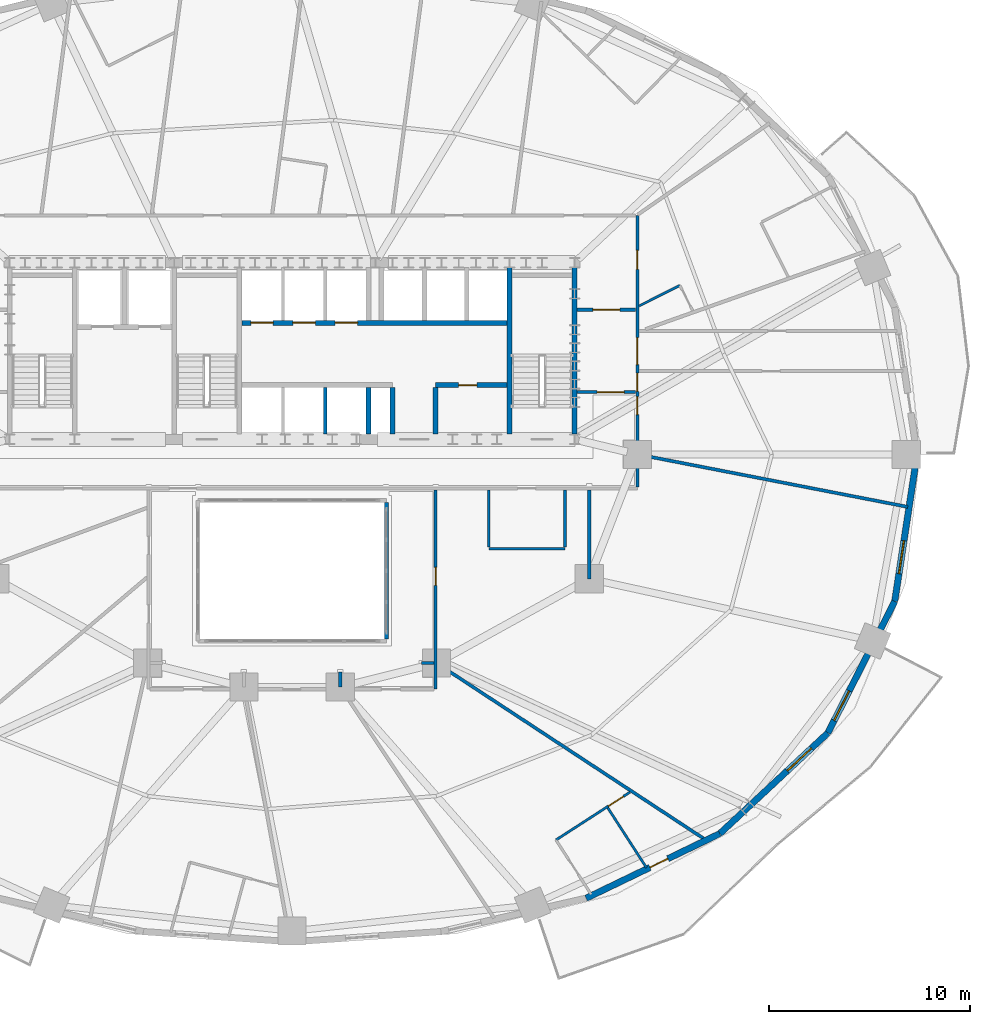
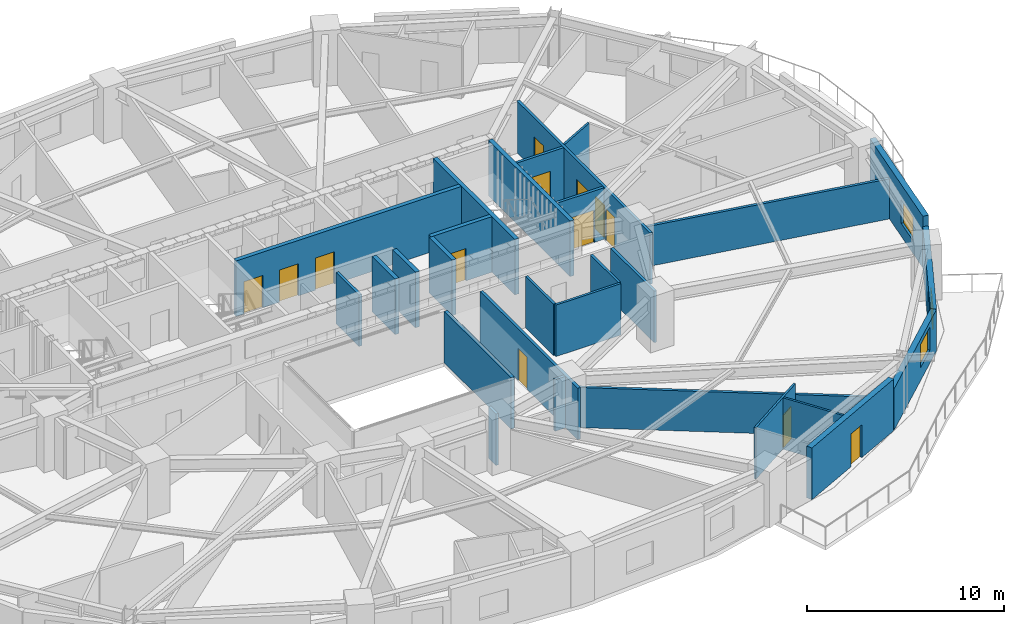
# One storey, part 11 of 17: 28 walls, 13 doors, 3 windows, 16 openings.
"""IFC4 building model written with IfcOpenShell, lengths in metres."""

from ifc_helpers import new_model, si_unit, direction, frame, frame_2d, origin, place, context, subcontext, project, spatial, rectangle, extrude, material, layer, layer_set, type_object, element, fill, save


model = new_model("IFC4")

# Units and contexts
model_context = context("Model", 3, precision=1e-05, world=origin(), true_north=direction((0.0, 1.0)))
body_context = subcontext(model_context, "Body", "Model", "MODEL_VIEW")
ifc_project = project(units=[si_unit("LENGTHUNIT", "METRE"), si_unit("AREAUNIT", "SQUARE_METRE"), si_unit("VOLUMEUNIT", "CUBIC_METRE"), si_unit("PLANEANGLEUNIT", "RADIAN"), si_unit("MASSUNIT", "GRAM", prefix="KILO")], contexts=[model_context])

# Site, building, storey
site_placement = place(None, origin())
site = spatial("IfcSite", under=ifc_project, at=site_placement, CompositionType="ELEMENT")
building_placement = place(site_placement, origin())
building = spatial("IfcBuilding", under=site, at=building_placement, Name="Haldorwick Loom Tower", CompositionType="ELEMENT")
storey_placement = place(building_placement, frame((0.0, 0.0, 55.050048828125)))
storey = spatial("IfcBuildingStorey", under=building, at=storey_placement, Name="L14", CompositionType="ELEMENT", Elevation=55.050048828125)

# Wall, opening, door
ifc_material_1 = material(Name="Pressed Clay Face Brick and Insulated Masonry Backup Assembly", Category="masonry")
ifc_layer_1 = layer(ifc_material_1, 0.320068359375, Name="Pressed Clay Face Brick and Insulated Masonry Backup Assembly", Category="masonry")
ifc_layer_set_1 = layer_set([ifc_layer_1], Name="Pressed Clay Face Brick and Insulated Masonry Backup Assembly")
wall_type_1 = type_object("IfcWallType", Name="ARC-WL-EXT320", PredefinedType="STANDARD", material=ifc_layer_set_1)
wall_1_placement = place(storey_placement, frame((50.644775390625, 3.88427734375, 0.0), z_axis=(0.0, 0.0, 1.0), x_axis=(0.900295710431, 0.435278800057, 0.0)))
wall_1 = element("IfcWall", 1, at=wall_1_placement, inside=storey, type_object=wall_type_1, Name="L14 Brick Pier and Spandrel Wall 21", PredefinedType="STANDARD", context=body_context, shape_type="SweptSolid", body=[
    extrude(rectangle(XDim=7.39697265625, YDim=0.320068359375, at=frame_2d((3.698486328125, 0.0))), origin(), (0.0, 0.0, 1.0), 3.2099609375),
])
opening_1_placement = place(wall_1_placement, frame((3.529541015625, 0.0, 0.0)))
opening_1 = element("IfcOpeningElement", 2, at=opening_1_placement, cuts=wall_1, Name="Opening D-BL10", PredefinedType="OPENING", context=body_context, shape_type="SweptSolid", body=[
    extrude(rectangle(XDim=1.0, YDim=2.0400390625, at=frame_2d((0.5, 1.02001953125))), frame((0.0, 0.169921875, 0.0), z_axis=(0.0, -1.0, 0.0), x_axis=(1.0, 0.0, 0.0)), (0.0, 0.0, 1.0), 0.340087890625),
])
ifc_material_2 = material(Name="Thermally Broken Anodized Aluminium Curtain Wall Framing", Category="aluminium")
door_type_1 = type_object("IfcDoorType", Name="ARC-DR-BAL100", OperationType="NOTDEFINED", PredefinedType="DOOR", material=ifc_material_2)
door_1_placement = place(opening_1_placement, origin())
door_1 = element("IfcDoor", 3, at=door_1_placement, inside=storey, type_object=door_type_1, Name="L14 Outdoor Terrace Door SLB-L14-BAL_SE", OperationType="SINGLE_SWING_LEFT", OverallHeight=2.0400390625, OverallWidth=1.0, PredefinedType="DOOR", context=body_context, shape_type="SweptSolid", body=[
    extrude(rectangle(XDim=1.0, YDim=2.0400390625, at=frame_2d((0.5, 1.02001953125))), frame((0.0, 0.02490234375, 0.0), z_axis=(0.0, -1.0, 0.0), x_axis=(1.0, 0.0, 0.0)), (0.0, 0.0, 1.0), 0.050048828125),
])
fill(opening_1, door_1)

# Wall, opening, window
wall_2_placement = place(storey_placement, frame((57.30419921875, 7.10400390625, 0.0), z_axis=(0.0, 0.0, 1.0), x_axis=(0.73176101237, 0.681561311091, 0.0)))
wall_2 = element("IfcWall", 4, at=wall_2_placement, inside=storey, type_object=wall_type_1, Name="L14 Brick Pier and Spandrel Wall 22", PredefinedType="STANDARD", context=body_context, shape_type="SweptSolid", body=[
    extrude(rectangle(XDim=7.3583984375, YDim=0.320068359375, at=frame_2d((3.67919921875, 0.0))), origin(), (0.0, 0.0, 1.0), 2.56884765625),
])
opening_2_placement = place(wall_2_placement, frame((4.590087890625, 0.0, 0.800048828125)))
opening_2 = element("IfcOpeningElement", 5, at=opening_2_placement, cuts=wall_2, Name="Opening W-01B", PredefinedType="OPENING", context=body_context, shape_type="SweptSolid", body=[
    extrude(rectangle(XDim=1.64990234375, YDim=1.449951171875, at=frame_2d((0.824951171875, 0.72509765625))), frame((0.0, 0.169921875, 0.0), z_axis=(0.0, -1.0, 0.0), x_axis=(1.0, 0.0, 0.0)), (0.0, 0.0, 1.0), 0.340087890625),
])
ifc_material_3 = material(Name="Triple-Glazed Low-E Argon Insulated Glazing Unit", Category="glass")
window_type = type_object("IfcWindowType", Name="ARC-WIN-W165", PartitioningType="SINGLE_PANEL", PredefinedType="WINDOW", material=ifc_material_3)
window_1_placement = place(opening_2_placement, origin())
window_1 = element("IfcWindow", 6, at=window_1_placement, inside=storey, type_object=window_type, Name="L14 Deep-Set Zone 7A Window 22", OverallHeight=1.449951171875, OverallWidth=1.64990234375, PartitioningType="SINGLE_PANEL", PredefinedType="WINDOW", context=body_context, shape_type="SweptSolid", body=[
    extrude(rectangle(XDim=1.64990234375, YDim=1.449951171875, at=frame_2d((0.824951171875, 0.72509765625))), frame((0.0, 0.030029296875, 0.0), z_axis=(0.0, -1.0, 0.0), x_axis=(1.0, 0.0, 0.0)), (0.0, 0.0, 1.0), 0.06005859375),
])
fill(opening_2, window_1)

wall_3_placement = place(storey_placement, frame((62.688720703125, 12.119140625, 0.0), z_axis=(0.0, 0.0, 1.0), x_axis=(0.452950855928, 0.891535485617, 0.0)))
wall_3 = element("IfcWall", 7, at=wall_3_placement, inside=storey, type_object=wall_type_1, Name="L14 Brick Pier and Spandrel Wall 23", PredefinedType="STANDARD", context=body_context, shape_type="SweptSolid", body=[
    extrude(rectangle(XDim=7.3583984375, YDim=0.320068359375, at=frame_2d((3.67919921875, 0.0))), origin(), (0.0, 0.0, 1.0), 2.56884765625),
])
opening_3_placement = place(wall_3_placement, frame((0.69921875, 0.0, 0.800048828125)))
opening_3 = element("IfcOpeningElement", 8, at=opening_3_placement, cuts=wall_3, Name="Opening W-01B", PredefinedType="OPENING", context=body_context, shape_type="SweptSolid", body=[
    extrude(rectangle(XDim=1.64990234375, YDim=1.449951171875, at=frame_2d((0.824951171875, 0.72509765625))), frame((0.0, 0.169921875, 0.0), z_axis=(0.0, -1.0, 0.0), x_axis=(1.0, 0.0, 0.0)), (0.0, 0.0, 1.0), 0.340087890625),
])
window_2_placement = place(opening_3_placement, origin())
window_2 = element("IfcWindow", 9, at=window_2_placement, inside=storey, type_object=window_type, Name="L14 Deep-Set Zone 7A Window 23", OverallHeight=1.449951171875, OverallWidth=1.64990234375, PartitioningType="SINGLE_PANEL", PredefinedType="WINDOW", context=body_context, shape_type="SweptSolid", body=[
    extrude(rectangle(XDim=1.64990234375, YDim=1.449951171875, at=frame_2d((0.824951171875, 0.72509765625))), frame((0.0, 0.030029296875, 0.0), z_axis=(0.0, -1.0, 0.0), x_axis=(1.0, 0.0, 0.0)), (0.0, 0.0, 1.0), 0.06005859375),
])
fill(opening_3, window_2)

wall_4_placement = place(storey_placement, frame((66.021728515625, 18.679443359375, 0.0), z_axis=(0.0, 0.0, 1.0), x_axis=(0.150476322528, 0.988613613278, 0.0)))
wall_4 = element("IfcWall", 10, at=wall_4_placement, inside=storey, type_object=wall_type_1, Name="L14 Brick Pier and Spandrel Wall 24", PredefinedType="STANDARD", context=body_context, shape_type="SweptSolid", body=[
    extrude(rectangle(XDim=7.40478515625, YDim=0.320068359375, at=frame_2d((3.702392578125, 0.0))), origin(), (0.0, 0.0, 1.0), 3.2099609375),
])
opening_4_placement = place(wall_4_placement, frame((1.396484375, 0.0, 0.800048828125)))
opening_4 = element("IfcOpeningElement", 11, at=opening_4_placement, cuts=wall_4, Name="Opening W-01B", PredefinedType="OPENING", context=body_context, shape_type="SweptSolid", body=[
    extrude(rectangle(XDim=1.64990234375, YDim=1.449951171875, at=frame_2d((0.824951171875, 0.72509765625))), frame((0.0, 0.169921875, 0.0), z_axis=(0.0, -1.0, 0.0), x_axis=(1.0, 0.0, 0.0)), (0.0, 0.0, 1.0), 0.340087890625),
])
window_3_placement = place(opening_4_placement, origin())
window_3 = element("IfcWindow", 12, at=window_3_placement, inside=storey, type_object=window_type, Name="L14 Deep-Set Zone 7A Window 24", OverallHeight=1.449951171875, OverallWidth=1.64990234375, PartitioningType="SINGLE_PANEL", PredefinedType="WINDOW", context=body_context, shape_type="SweptSolid", body=[
    extrude(rectangle(XDim=1.64990234375, YDim=1.449951171875, at=frame_2d((0.824951171875, 0.72509765625))), frame((0.0, 0.030029296875, 0.0), z_axis=(0.0, -1.0, 0.0), x_axis=(1.0, 0.0, 0.0)), (0.0, 0.0, 1.0), 0.06005859375),
])
fill(opening_4, window_3)

# Wall, openings, doors
ifc_material_4 = material(Name="Fire-Rated Type X Gypsum Stud Assembly EI 60")
ifc_layer_2 = layer(ifc_material_4, 0.159912109375, Name="Fire-Rated Type X Gypsum Stud Assembly EI 60")
ifc_layer_set_2 = layer_set([ifc_layer_2], Name="Fire-Rated Type X Gypsum Stud Assembly EI 60")
wall_type_2 = type_object("IfcWallType", Name="ARC-WL-FIRE160", PredefinedType="PARTITIONING", material=ifc_layer_set_2)
wall_5_placement = place(storey_placement, frame((53.199951171875, 24.383056640625, 0.0), z_axis=(0.0, 0.0, 1.0), x_axis=(0.0, 1.0, 0.0)))
wall_5 = element("IfcWall", 13, at=wall_5_placement, inside=storey, type_object=wall_type_2, Name="L14 Residential Fire Partition L14-CR-E0", PredefinedType="PARTITIONING", context=body_context, shape_type="SweptSolid", body=[
    extrude(rectangle(XDim=13.516845703125, YDim=0.159912109375, at=frame_2d((6.75830078125, 0.0))), origin(), (0.0, 0.0, 1.0), 3.195068359375),
])
opening_5_placement = place(wall_5_placement, frame((6.08349609375, 0.0, 0.0)))
opening_5 = element("IfcOpeningElement", 14, at=opening_5_placement, cuts=wall_5, Name="Opening D-CR15", PredefinedType="OPENING", context=body_context, shape_type="SweptSolid", body=[
    extrude(rectangle(XDim=1.35009765625, YDim=2.0, at=frame_2d((0.675048828125, 1.0))), frame((0.0, 0.08984375, 0.0), z_axis=(0.0, -1.0, 0.0), x_axis=(1.0, 0.0, 0.0)), (0.0, 0.0, 1.0), 0.179931640625),
])
opening_6_placement = place(wall_5_placement, frame((10.826171875, 0.0, 0.0)))
opening_6 = element("IfcOpeningElement", 15, at=opening_6_placement, cuts=wall_5, Name="Opening D-FL95", PredefinedType="OPENING", context=body_context, shape_type="SweptSolid", body=[
    extrude(rectangle(XDim=0.949951171875, YDim=2.0400390625, at=frame_2d((0.47509765625, 1.02001953125))), frame((0.0, 0.08984375, 0.0), z_axis=(0.0, -1.0, 0.0), x_axis=(1.0, 0.0, 0.0)), (0.0, 0.0, 1.0), 0.179931640625),
])
opening_7_placement = place(wall_5_placement, frame((3.5908203125, 0.0, 0.0)))
opening_7 = element("IfcOpeningElement", 16, at=opening_7_placement, cuts=wall_5, Name="Opening D-FD60A", PredefinedType="OPENING", context=body_context, shape_type="SweptSolid", body=[
    extrude(rectangle(XDim=0.89990234375, YDim=2.0, at=frame_2d((0.449951171875, 1.0))), frame((0.0, 0.08984375, 0.0), z_axis=(0.0, -1.0, 0.0), x_axis=(1.0, 0.0, 0.0)), (0.0, 0.0, 1.0), 0.179931640625),
])
opening_8_placement = place(wall_5_placement, frame((4.75732421875, 0.0, 0.0)))
opening_8 = element("IfcOpeningElement", 17, at=opening_8_placement, cuts=wall_5, Name="Opening D-FD60A", PredefinedType="OPENING", context=body_context, shape_type="SweptSolid", body=[
    extrude(rectangle(XDim=0.89990234375, YDim=2.0, at=frame_2d((0.449951171875, 1.0))), frame((0.0, 0.08984375, 0.0), z_axis=(0.0, -1.0, 0.0), x_axis=(1.0, 0.0, 0.0)), (0.0, 0.0, 1.0), 0.179931640625),
])
ifc_material_5 = material(Name="Thermally Broken Anodized Aluminium and Tempered Glass", Category="aluminium")
door_type_2 = type_object("IfcDoorType", Name="ARC-DR-COR150", OperationType="NOTDEFINED", PredefinedType="DOOR", material=ifc_material_5)
door_2_placement = place(opening_5_placement, origin())
door_2 = element("IfcDoor", 18, at=door_2_placement, inside=storey, type_object=door_type_2, Name="L14 L14 East Residential Corridor to L14 East Daylight Corridor Door", OperationType="DOUBLE_DOOR_SINGLE_SWING", OverallHeight=2.0, OverallWidth=1.35009765625, PredefinedType="DOOR", context=body_context, shape_type="SweptSolid", body=[
    extrude(rectangle(XDim=1.35009765625, YDim=2.0, at=frame_2d((0.675048828125, 1.0))), frame((0.0, 0.02490234375, 0.0), z_axis=(0.0, -1.0, 0.0), x_axis=(1.0, 0.0, 0.0)), (0.0, 0.0, 1.0), 0.050048828125),
])
fill(opening_5, door_2)
ifc_material_6 = material(Name="Hollow Steel Fire Door Assembly", Category="steel")
door_type_3 = type_object("IfcDoorType", Name="ARC-DR-FD60-90", OperationType="NOTDEFINED", PredefinedType="DOOR", material=ifc_material_6)
door_3_placement = place(opening_7_placement, origin())
door_3 = element("IfcDoor", 19, at=door_3_placement, inside=storey, type_object=door_type_3, Name="L14 L14 Central Residential Corridor to Resident Cafe Room 2 Door", OperationType="SINGLE_SWING_RIGHT", OverallHeight=2.0, OverallWidth=0.89990234375, PredefinedType="DOOR", context=body_context, shape_type="SweptSolid", body=[
    extrude(rectangle(XDim=0.89990234375, YDim=2.0, at=frame_2d((0.449951171875, 1.0))), frame((0.0, 0.02490234375, 0.0), z_axis=(0.0, -1.0, 0.0), x_axis=(1.0, 0.0, 0.0)), (0.0, 0.0, 1.0), 0.050048828125),
])
fill(opening_7, door_3)
door_4_placement = place(opening_8_placement, origin())
door_4 = element("IfcDoor", 20, at=door_4_placement, inside=storey, type_object=door_type_3, Name="L14 L14 East Residential Corridor to Resident Cafe Room 2 Door", OperationType="SINGLE_SWING_LEFT", OverallHeight=2.0, OverallWidth=0.89990234375, PredefinedType="DOOR", context=body_context, shape_type="SweptSolid", body=[
    extrude(rectangle(XDim=0.89990234375, YDim=2.0, at=frame_2d((0.449951171875, 1.0))), frame((0.0, 0.02490234375, 0.0), z_axis=(0.0, -1.0, 0.0), x_axis=(1.0, 0.0, 0.0)), (0.0, 0.0, 1.0), 0.050048828125),
])
fill(opening_8, door_4)
ifc_material_7 = material(Name="Solid Core Birch Architectural Door")
door_type_4 = type_object("IfcDoorType", Name="ARC-DR-FLAT95", OperationType="NOTDEFINED", PredefinedType="DOOR", material=ifc_material_7)
door_5_placement = place(opening_6_placement, origin())
door_5 = element("IfcDoor", 21, at=door_5_placement, inside=storey, type_object=door_type_4, Name="L14 L14 North Residential Corridor to Unit 14J Kitchen and Living Room D", OperationType="SINGLE_SWING_RIGHT", OverallHeight=2.0400390625, OverallWidth=0.949951171875, PredefinedType="DOOR", context=body_context, shape_type="SweptSolid", body=[
    extrude(rectangle(XDim=0.949951171875, YDim=2.0400390625, at=frame_2d((0.47509765625, 1.02001953125))), frame((0.0, 0.02490234375, 0.0), z_axis=(0.0, -1.0, 0.0), x_axis=(1.0, 0.0, 0.0)), (0.0, 0.0, 1.0), 0.050048828125),
])
fill(opening_6, door_5)

# Wall, opening, door
wall_6_placement = place(storey_placement, frame((50.193115234375, 29.10009765625, 0.0), z_axis=(0.0, 0.0, 1.0), x_axis=(1.0, 0.0, 0.0)))
wall_6 = element("IfcWall", 22, at=wall_6_placement, inside=storey, type_object=wall_type_2, Name="L14 Residential Fire Partition L14-CR-ESJ", PredefinedType="PARTITIONING", context=body_context, shape_type="SweptSolid", body=[
    extrude(rectangle(XDim=2.923828125, YDim=0.159912109375, at=frame_2d((1.4619140625, 0.0))), origin(), (0.0, 0.0, 1.0), 3.195068359375),
])
opening_9_placement = place(wall_6_placement, frame((0.99560546875, 0.0, 0.0)))
opening_9 = element("IfcOpeningElement", 23, at=opening_9_placement, cuts=wall_6, Name="Opening D-CR15", PredefinedType="OPENING", context=body_context, shape_type="SweptSolid", body=[
    extrude(rectangle(XDim=1.35009765625, YDim=2.0, at=frame_2d((0.675048828125, 1.0))), frame((0.0, 0.08984375, 0.0), z_axis=(0.0, -1.0, 0.0), x_axis=(1.0, 0.0, 0.0)), (0.0, 0.0, 1.0), 0.179931640625),
])
door_6_placement = place(opening_9_placement, origin())
door_6 = element("IfcDoor", 24, at=door_6_placement, inside=storey, type_object=door_type_2, Name="L14 L14 East Residential Corridor to L14 Central Residential Corridor Do", OperationType="DOUBLE_DOOR_SINGLE_SWING", OverallHeight=2.0, OverallWidth=1.35009765625, PredefinedType="DOOR", context=body_context, shape_type="SweptSolid", body=[
    extrude(rectangle(XDim=1.35009765625, YDim=2.0, at=frame_2d((0.675048828125, 1.0))), frame((0.0, 0.02490234375, 0.0), z_axis=(0.0, -1.0, 0.0), x_axis=(1.0, 0.0, 0.0)), (0.0, 0.0, 1.0), 0.050048828125),
])
fill(opening_9, door_6)

wall_7_placement = place(storey_placement, frame((50.193115234375, 33.199951171875, 0.0), z_axis=(0.0, 0.0, 1.0), x_axis=(1.0, 0.0, 0.0)))
wall_7 = element("IfcWall", 25, at=wall_7_placement, inside=storey, type_object=wall_type_2, Name="L14 Residential Fire Partition L14-CR-ENJ", PredefinedType="PARTITIONING", context=body_context, shape_type="SweptSolid", body=[
    extrude(rectangle(XDim=2.923828125, YDim=0.159912109375, at=frame_2d((1.4619140625, 0.0))), origin(), (0.0, 0.0, 1.0), 3.195068359375),
])
opening_10_placement = place(wall_7_placement, frame((0.787109375, 0.0, 0.0)))
opening_10 = element("IfcOpeningElement", 26, at=opening_10_placement, cuts=wall_7, Name="Opening D-CR15", PredefinedType="OPENING", context=body_context, shape_type="SweptSolid", body=[
    extrude(rectangle(XDim=1.35009765625, YDim=2.0, at=frame_2d((0.675048828125, 1.0))), frame((0.0, 0.08984375, 0.0), z_axis=(0.0, -1.0, 0.0), x_axis=(1.0, 0.0, 0.0)), (0.0, 0.0, 1.0), 0.179931640625),
])
door_7_placement = place(opening_10_placement, origin())
door_7 = element("IfcDoor", 27, at=door_7_placement, inside=storey, type_object=door_type_2, Name="L14 L14 North Residential Corridor to L14 East Residential Corridor Door", OperationType="DOUBLE_DOOR_SINGLE_SWING", OverallHeight=2.0, OverallWidth=1.35009765625, PredefinedType="DOOR", context=body_context, shape_type="SweptSolid", body=[
    extrude(rectangle(XDim=1.35009765625, YDim=2.0, at=frame_2d((0.675048828125, 1.0))), frame((0.0, 0.02490234375, 0.0), z_axis=(0.0, -1.0, 0.0), x_axis=(1.0, 0.0, 0.0)), (0.0, 0.0, 1.0), 0.050048828125),
])
fill(opening_10, door_7)

wall_8_placement = place(storey_placement, frame((43.14990234375, 14.300048828125, 0.0), z_axis=(0.0, 0.0, 1.0), x_axis=(0.0, 1.0, 0.0)))
wall_8 = element("IfcWall", 28, at=wall_8_placement, inside=storey, type_object=wall_type_2, Name="L14 Residential Fire Partition L14-CR-AE", PredefinedType="PARTITIONING", context=body_context, shape_type="SweptSolid", body=[
    extrude(rectangle(XDim=9.9169921875, YDim=0.159912109375, at=frame_2d((4.95849609375, 0.0))), origin(), (0.0, 0.0, 1.0), 3.195068359375),
])
opening_11_placement = place(wall_8_placement, frame((5.169677734375, 0.0, 0.0)))
opening_11 = element("IfcOpeningElement", 29, at=opening_11_placement, cuts=wall_8, Name="Opening D-FD60A", PredefinedType="OPENING", context=body_context, shape_type="SweptSolid", body=[
    extrude(rectangle(XDim=0.89990234375, YDim=2.0, at=frame_2d((0.449951171875, 1.0))), frame((0.0, 0.08984375, 0.0), z_axis=(0.0, -1.0, 0.0), x_axis=(1.0, 0.0, 0.0)), (0.0, 0.0, 1.0), 0.179931640625),
])
door_8_placement = place(opening_11_placement, origin())
door_8 = element("IfcDoor", 30, at=door_8_placement, inside=storey, type_object=door_type_3, Name="L14 L14 South Atrium Corridor to Co-Working Open Office 5 Door", OperationType="SINGLE_SWING_RIGHT", OverallHeight=2.0, OverallWidth=0.89990234375, PredefinedType="DOOR", context=body_context, shape_type="SweptSolid", body=[
    extrude(rectangle(XDim=0.89990234375, YDim=2.0, at=frame_2d((0.449951171875, 1.0))), frame((0.0, 0.02490234375, 0.0), z_axis=(0.0, -1.0, 0.0), x_axis=(1.0, 0.0, 0.0)), (0.0, 0.0, 1.0), 0.050048828125),
])
fill(opening_11, door_8)

# Walls
wall_9_placement = place(storey_placement, frame((53.282958984375, 25.98388671875, 0.0), z_axis=(0.0, 0.0, 1.0), x_axis=(0.98162656706, -0.190812166391, 0.0)))
element("IfcWall", 31, at=wall_9_placement, inside=storey, type_object=wall_type_2, Name="L14 Residential Fire Partition L14-ICR-01", PredefinedType="PARTITIONING", context=body_context, shape_type="SweptSolid", body=[
    extrude(rectangle(XDim=13.63916015625, YDim=0.159912109375, at=frame_2d((6.819580078125, 0.0))), origin(), (0.0, 0.0, 1.0), 2.489990234375),
])
wall_10_placement = place(storey_placement, frame((43.23291015625, 15.578369140625, 0.0), z_axis=(0.0, 0.0, 1.0), x_axis=(0.835758656333, -0.549096957161, 0.0)))
element("IfcWall", 32, at=wall_10_placement, inside=storey, type_object=wall_type_2, Name="L14 Residential Fire Partition L14-ICR-04", PredefinedType="PARTITIONING", context=body_context, shape_type="SweptSolid", body=[
    extrude(rectangle(XDim=15.95263671875, YDim=0.159912109375, at=frame_2d((7.976318359375, 0.0))), origin(), (0.0, 0.0, 1.0), 2.489990234375),
])
wall_11_placement = place(storey_placement, frame((50.800048828125, 24.217041015625, 0.0), z_axis=(0.0, 0.0, 1.0), x_axis=(0.0, -1.0, 0.0)))
element("IfcWall", 33, at=wall_11_placement, inside=storey, type_object=wall_type_2, Name="L14 Residential Fire Partition L14-ICA-02", PredefinedType="PARTITIONING", context=body_context, shape_type="SweptSolid", body=[
    extrude(rectangle(XDim=4.4169921875, YDim=0.159912109375, at=frame_2d((2.20849609375, 0.0))), origin(), (0.0, 0.0, 1.0), 3.195068359375),
])
wall_12_placement = place(storey_placement, frame((42.449951171875, 15.60009765625, 0.0), z_axis=(0.0, 0.0, 1.0), x_axis=(1.0, 0.0, 0.0)))
element("IfcWall", 34, at=wall_12_placement, inside=storey, type_object=wall_type_2, Name="L14 Residential Fire Partition L14-ICA-03", PredefinedType="PARTITIONING", context=body_context, shape_type="SweptSolid", body=[
    extrude(rectangle(XDim=0.616943359375, YDim=0.159912109375, at=frame_2d((0.30859375, 0.0))), origin(), (0.0, 0.0, 1.0), 3.195068359375),
])
wall_13_placement = place(storey_placement, frame((38.39990234375, 15.14990234375, 0.0), z_axis=(0.0, 0.0, 1.0), x_axis=(0.0, -1.0, 0.0)))
element("IfcWall", 35, at=wall_13_placement, inside=storey, type_object=wall_type_2, Name="L14 Residential Fire Partition L14-ICA-05", PredefinedType="PARTITIONING", context=body_context, shape_type="SweptSolid", body=[
    extrude(rectangle(XDim=0.75, YDim=0.159912109375, at=frame_2d((0.375, 0.0))), origin(), (0.0, 0.0, 1.0), 3.195068359375),
])
ifc_material_8 = material(Name="Fire-Rated Type X Gypsum Stud Assembly EI 120")
ifc_layer_3 = layer(ifc_material_8, 0.199951171875, Name="Fire-Rated Type X Gypsum Stud Assembly EI 120")
ifc_layer_set_3 = layer_set([ifc_layer_3], Name="Fire-Rated Type X Gypsum Stud Assembly EI 120")
wall_type_3 = type_object("IfcWallType", Name="ARC-WL-FIRE200", PredefinedType="PARTITIONING", material=ifc_layer_set_3)
wall_14_placement = place(storey_placement, frame((40.699951171875, 23.596923828125, 0.0), z_axis=(0.0, 0.0, 1.0), x_axis=(0.0, -1.0, 0.0)))
element("IfcWall", 36, at=wall_14_placement, inside=storey, type_object=wall_type_3, Name="L14 Atrium Fire Enclosure Wall E", PredefinedType="PARTITIONING", context=body_context, shape_type="SweptSolid", body=[
    extrude(rectangle(XDim=6.7939453125, YDim=0.199951171875, at=frame_2d((3.39697265625, 0.0))), origin(), (0.0, 0.0, 1.0), 3.195068359375),
])

# Wall, opening, door
ifc_material_9 = material(Name="Acoustic Gypsum Stud Assembly STC 55")
ifc_layer_4 = layer(ifc_material_9, 0.1201171875, Name="Acoustic Gypsum Stud Assembly STC 55")
ifc_layer_set_4 = layer_set([ifc_layer_4], Name="Acoustic Gypsum Stud Assembly STC 55")
wall_type_4 = type_object("IfcWallType", Name="ARC-WL-PART120", PredefinedType="PARTITIONING", material=ifc_layer_set_4)
wall_15_placement = place(storey_placement, frame((49.145263671875, 6.7900390625, 0.0), z_axis=(0.0, 0.0, 1.0), x_axis=(0.839963858336, 0.542642346937, 0.0)))
wall_15 = element("IfcWall", 37, at=wall_15_placement, inside=storey, type_object=wall_type_4, Name="L14 Unit 14C Interior Partition", PredefinedType="PARTITIONING", context=body_context, shape_type="SweptSolid", body=[
    extrude(rectangle(XDim=4.389892578125, YDim=0.1201171875, at=frame_2d((2.19482421875, 0.0))), origin(), (0.0, 0.0, 1.0), 3.195068359375),
])
opening_12_placement = place(wall_15_placement, frame((3.112060546875, 0.0, 0.0)))
opening_12 = element("IfcOpeningElement", 38, at=opening_12_placement, cuts=wall_15, Name="Opening D-BT88", PredefinedType="OPENING", context=body_context, shape_type="SweptSolid", body=[
    extrude(rectangle(XDim=0.8798828125, YDim=2.02001953125, at=frame_2d((0.43994140625, 1.010009765625))), frame((0.0, 0.070068359375, 0.0), z_axis=(0.0, -1.0, 0.0), x_axis=(1.0, 0.0, 0.0)), (0.0, 0.0, 1.0), 0.14013671875),
])
door_type_5 = type_object("IfcDoorType", Name="ARC-DR-BATH88", OperationType="NOTDEFINED", PredefinedType="DOOR", material=ifc_material_7)
door_9_placement = place(opening_12_placement, origin())
door_9 = element("IfcDoor", 39, at=door_9_placement, inside=storey, type_object=door_type_5, Name="L14 Unit 14C Kitchen and Living Room to Unit 14C Bedroom 1 Door", OperationType="SINGLE_SWING_RIGHT", OverallHeight=2.02001953125, OverallWidth=0.8798828125, PredefinedType="DOOR", context=body_context, shape_type="SweptSolid", body=[
    extrude(rectangle(XDim=0.8798828125, YDim=2.02001953125, at=frame_2d((0.43994140625, 1.010009765625))), frame((0.0, 0.02490234375, 0.0), z_axis=(0.0, -1.0, 0.0), x_axis=(1.0, 0.0, 0.0)), (0.0, 0.0, 1.0), 0.050048828125),
])
fill(opening_12, door_9)

# Walls
wall_16_placement = place(storey_placement, frame((51.7294921875, 8.384521484375, 0.0), z_axis=(0.0, 0.0, 1.0), x_axis=(0.542679471731, -0.839939873421, 0.0)))
element("IfcWall", 40, at=wall_16_placement, inside=storey, type_object=wall_type_4, Name="L14 Unit 14C Interior Partition", PredefinedType="PARTITIONING", context=body_context, shape_type="SweptSolid", body=[
    extrude(rectangle(XDim=3.54150390625, YDim=0.1201171875, at=frame_2d((1.770751953125, 0.0))), origin(), (0.0, 0.0, 1.0), 3.195068359375),
])
wall_17_placement = place(storey_placement, frame((53.282958984375, 33.390380859375, 0.0), z_axis=(0.0, 0.0, 1.0), x_axis=(0.893267449767, 0.449525597922, 0.0)))
element("IfcWall", 41, at=wall_17_placement, inside=storey, type_object=wall_type_4, Name="L14 Unit 14J Interior Partition", PredefinedType="PARTITIONING", context=body_context, shape_type="SweptSolid", body=[
    extrude(rectangle(XDim=2.279541015625, YDim=0.1201171875, at=frame_2d((1.1396484375, 0.0))), origin(), (0.0, 0.0, 1.0), 3.195068359375),
])
ifc_layer_5 = layer(ifc_material_4, 0.139892578125, Name="Fire-Rated Type X Gypsum Stud Assembly EI 60")
ifc_layer_set_5 = layer_set([ifc_layer_5], Name="Fire-Rated Type X Gypsum Stud Assembly EI 60")
wall_type_5 = type_object("IfcWallType", Name="ARC-WL-PART140", PredefinedType="PARTITIONING", material=ifc_layer_set_5)
wall_18_placement = place(storey_placement, frame((45.800048828125, 21.300048828125, 0.0), z_axis=(0.0, 0.0, 1.0), x_axis=(1.0, 0.0, 0.0)))
element("IfcWall", 42, at=wall_18_placement, inside=storey, type_object=wall_type_5, Name="L14 Residential Fire Partition L14-CWC-S", PredefinedType="PARTITIONING", context=body_context, shape_type="SweptSolid", body=[
    extrude(rectangle(XDim=3.800048828125, YDim=0.139892578125, at=frame_2d((1.89990234375, 0.0))), origin(), (0.0, 0.0, 1.0), 3.195068359375),
])
for number, where, z_axis, x_axis, name in (
    (43, (45.800048828125, 21.373046875, 0.0), (0.0, 0.0, 1.0), (0.0, 1.0, 0.0), "L14 Residential Fire Partition L14-CWC-W"),
    (44, (49.60009765625, 21.373046875, 0.0), (0.0, 0.0, 1.0), (0.0, 1.0, 0.0), "L14 Residential Fire Partition L14-CWC-E"),
):
    element("IfcWall", number, at=place(storey_placement, frame(where, z_axis=z_axis, x_axis=x_axis)), inside=storey, type_object=wall_type_5, Name=name, PredefinedType="PARTITIONING", context=body_context, shape_type="SweptSolid", body=[
        extrude(rectangle(XDim=2.843994140625, YDim=0.139892578125, at=frame_2d((1.421875, 0.0))), origin(), (0.0, 0.0, 1.0), 3.195068359375),
    ])
ifc_layer_6 = layer(ifc_material_8, 0.1650390625, Name="Fire-Rated Type X Gypsum Stud Assembly EI 120")
ifc_layer_set_6 = layer_set([ifc_layer_6], Name="Fire-Rated Type X Gypsum Stud Assembly EI 120")
wall_type_6 = type_object("IfcWallType", Name="ARC-WL-SHAFT160", PredefinedType="MOVABLE", material=ifc_layer_set_6)
wall_19_placement = place(storey_placement, frame((37.64990234375, 27.0029296875, 0.0), z_axis=(0.0, 0.0, 1.0), x_axis=(0.0, 1.0, 0.0)))
element("IfcWall", 45, at=wall_19_placement, inside=storey, type_object=wall_type_6, Name="L14 Mid-Rise Hoistway Divider 2", PredefinedType="MOVABLE", context=body_context, shape_type="SweptSolid", body=[
    extrude(rectangle(XDim=2.323974609375, YDim=0.159912109375, at=frame_2d((1.162109375, 0.0))), origin(), (0.0, 0.0, 1.0), 3.195068359375),
])
ifc_material_10 = material(Name="Concrete C50 (50 MPa)", Category="concrete")
ifc_layer_7 = layer(ifc_material_10, 0.239990234375, Name="Concrete C50 (50 MPa)", Category="concrete")
ifc_layer_set_7 = layer_set([ifc_layer_7], Name="Concrete C50 (50 MPa)")
wall_type_7 = type_object("IfcWallType", Name="STR-WL-SHAFT240", PredefinedType="SHEAR", material=ifc_layer_set_7)
for number, where, z_axis, x_axis, name in (
    (46, (50.070068359375, 27.0029296875, 0.0), (0.0, 0.0, 1.0), (0.0, 1.0, 0.0), "L14 Core Shear Wall E"),
    (47, (46.830078125, 27.0029296875, 0.0), (0.0, 0.0, 1.0), (0.0, 1.0, 0.0), "L14 Core Shear Wall 4"),
):
    element("IfcWall", number, at=place(storey_placement, frame(where, z_axis=z_axis, x_axis=x_axis)), inside=storey, type_object=wall_type_7, Name=name, PredefinedType="SHEAR", context=body_context, shape_type="SweptSolid", body=[
        extrude(rectangle(XDim=8.294189453125, YDim=0.239990234375, at=frame_2d((4.14697265625, 0.0))), origin(), (0.0, 0.0, 1.0), 3.449951171875),
    ])

# Wall, openings, doors
wall_20_placement = place(storey_placement, frame((33.492919921875, 32.550048828125, 0.0), z_axis=(0.0, 0.0, 1.0), x_axis=(1.0, 0.0, 0.0)))
wall_20 = element("IfcWall", 48, at=wall_20_placement, inside=storey, type_object=wall_type_7, Name="L14 Core Shear Wall LN", PredefinedType="SHEAR", context=body_context, shape_type="SweptSolid", body=[
    extrude(rectangle(XDim=13.214111328125, YDim=0.239990234375, at=frame_2d((6.60693359375, 0.0))), origin(), (0.0, 0.0, 1.0), 3.449951171875),
])
opening_13_placement = place(wall_20_placement, frame((0.447021484375, 0.0, 0.0)))
opening_13 = element("IfcOpeningElement", 49, at=opening_13_placement, cuts=wall_20, Name="Opening LD-L1", PredefinedType="OPENING", context=body_context, shape_type="SweptSolid", body=[
    extrude(rectangle(XDim=1.1201171875, YDim=2.0, at=frame_2d((0.56005859375, 1.0))), frame((0.0, 0.1298828125, 0.0), z_axis=(0.0, -1.0, 0.0), x_axis=(1.0, 0.0, 0.0)), (0.0, 0.0, 1.0), 0.260009765625),
])
opening_14_placement = place(wall_20_placement, frame((2.547119140625, 0.0, 0.0)))
opening_14 = element("IfcOpeningElement", 50, at=opening_14_placement, cuts=wall_20, Name="Opening LD-L2", PredefinedType="OPENING", context=body_context, shape_type="SweptSolid", body=[
    extrude(rectangle(XDim=1.1201171875, YDim=2.0, at=frame_2d((0.56005859375, 1.0))), frame((0.0, 0.1298828125, 0.0), z_axis=(0.0, -1.0, 0.0), x_axis=(1.0, 0.0, 0.0)), (0.0, 0.0, 1.0), 0.260009765625),
])
opening_15_placement = place(wall_20_placement, frame((4.64697265625, 0.0, 0.0)))
opening_15 = element("IfcOpeningElement", 51, at=opening_15_placement, cuts=wall_20, Name="Opening LD-L3", PredefinedType="OPENING", context=body_context, shape_type="SweptSolid", body=[
    extrude(rectangle(XDim=1.1201171875, YDim=2.0, at=frame_2d((0.56005859375, 1.0))), frame((0.0, 0.1298828125, 0.0), z_axis=(0.0, -1.0, 0.0), x_axis=(1.0, 0.0, 0.0)), (0.0, 0.0, 1.0), 0.260009765625),
])
door_type_6 = type_object("IfcDoorType", Name="ARC-DR-LD-PAX", OperationType="NOTDEFINED", PredefinedType="USERDEFINED", material=ifc_material_6)
door_10_placement = place(opening_13_placement, origin())
door_10 = element("IfcDoor", 52, at=door_10_placement, inside=storey, type_object=door_type_6, Name="L14 Lift LF-L1 Sliding Landing Door", ObjectType="LANDING DOOR", OperationType="DOUBLE_DOOR_SLIDING", OverallHeight=2.0, OverallWidth=1.1201171875, PredefinedType="USERDEFINED", context=body_context, shape_type="SweptSolid", body=[
    extrude(rectangle(XDim=1.1201171875, YDim=2.0, at=frame_2d((0.56005859375, 1.0))), frame((0.0, 0.02490234375, 0.0), z_axis=(0.0, -1.0, 0.0), x_axis=(1.0, 0.0, 0.0)), (0.0, 0.0, 1.0), 0.050048828125),
])
fill(opening_13, door_10)
door_11_placement = place(opening_14_placement, origin())
door_11 = element("IfcDoor", 53, at=door_11_placement, inside=storey, type_object=door_type_6, Name="L14 Lift LF-L2 Sliding Landing Door", ObjectType="LANDING DOOR", OperationType="DOUBLE_DOOR_SLIDING", OverallHeight=2.0, OverallWidth=1.1201171875, PredefinedType="USERDEFINED", context=body_context, shape_type="SweptSolid", body=[
    extrude(rectangle(XDim=1.1201171875, YDim=2.0, at=frame_2d((0.56005859375, 1.0))), frame((0.0, 0.02490234375, 0.0), z_axis=(0.0, -1.0, 0.0), x_axis=(1.0, 0.0, 0.0)), (0.0, 0.0, 1.0), 0.050048828125),
])
fill(opening_14, door_11)
door_12_placement = place(opening_15_placement, origin())
door_12 = element("IfcDoor", 54, at=door_12_placement, inside=storey, type_object=door_type_6, Name="L14 Lift LF-L3 Sliding Landing Door", ObjectType="LANDING DOOR", OperationType="DOUBLE_DOOR_SLIDING", OverallHeight=2.0, OverallWidth=1.1201171875, PredefinedType="USERDEFINED", context=body_context, shape_type="SweptSolid", body=[
    extrude(rectangle(XDim=1.1201171875, YDim=2.0, at=frame_2d((0.56005859375, 1.0))), frame((0.0, 0.02490234375, 0.0), z_axis=(0.0, -1.0, 0.0), x_axis=(1.0, 0.0, 0.0)), (0.0, 0.0, 1.0), 0.050048828125),
])
fill(opening_15, door_12)

# Wall, opening, door
wall_21_placement = place(storey_placement, frame((43.14990234375, 29.449951171875, 0.0), z_axis=(0.0, 0.0, 1.0), x_axis=(1.0, 0.0, 0.0)))
wall_21 = element("IfcWall", 55, at=wall_21_placement, inside=storey, type_object=wall_type_7, Name="L14 Core Shear Wall LS2", PredefinedType="SHEAR", context=body_context, shape_type="SweptSolid", body=[
    extrude(rectangle(XDim=3.55712890625, YDim=0.239990234375, at=frame_2d((1.778564453125, 0.0))), origin(), (0.0, 0.0, 1.0), 3.449951171875),
])
opening_16_placement = place(wall_21_placement, frame((1.14990234375, 0.0, 0.0)))
opening_16 = element("IfcOpeningElement", 56, at=opening_16_placement, cuts=wall_21, Name="Opening D-FD60A", PredefinedType="OPENING", context=body_context, shape_type="SweptSolid", body=[
    extrude(rectangle(XDim=0.89990234375, YDim=2.0, at=frame_2d((0.449951171875, 1.0))), frame((0.0, 0.1298828125, 0.0), z_axis=(0.0, -1.0, 0.0), x_axis=(1.0, 0.0, 0.0)), (0.0, 0.0, 1.0), 0.260009765625),
])
door_13_placement = place(opening_16_placement, origin())
door_13 = element("IfcDoor", 57, at=door_13_placement, inside=storey, type_object=door_type_3, Name="L14 Electrical Metering Door", OperationType="SINGLE_SWING_LEFT", OverallHeight=2.0, OverallWidth=0.89990234375, PredefinedType="DOOR", context=body_context, shape_type="SweptSolid", body=[
    extrude(rectangle(XDim=0.89990234375, YDim=2.0, at=frame_2d((0.449951171875, 1.0))), frame((0.0, 0.02490234375, 0.0), z_axis=(0.0, -1.0, 0.0), x_axis=(1.0, 0.0, 0.0)), (0.0, 0.0, 1.0), 0.050048828125),
])
fill(opening_16, door_13)

# Walls
for number, where, z_axis, x_axis, name in (
    (58, (41.0, 27.0029296875, 0.0), (0.0, 0.0, 1.0), (0.0, 1.0, 0.0), "L14 Core Shear Wall THW"),
    (59, (43.14990234375, 27.0029296875, 0.0), (0.0, 0.0, 1.0), (0.0, 1.0, 0.0), "L14 Core Shear Wall THE"),
    (60, (39.800048828125, 27.0029296875, 0.0), (0.0, 0.0, 1.0), (0.0, 1.0, 0.0), "L14 Core Shear Wall MRW"),
):
    element("IfcWall", number, at=place(storey_placement, frame(where, z_axis=z_axis, x_axis=x_axis)), inside=storey, type_object=wall_type_7, Name=name, PredefinedType="SHEAR", context=body_context, shape_type="SweptSolid", body=[
        extrude(rectangle(XDim=2.323974609375, YDim=0.239990234375, at=frame_2d((1.162109375, 0.0))), origin(), (0.0, 0.0, 1.0), 3.449951171875),
    ])

save(model, "model.ifc")
